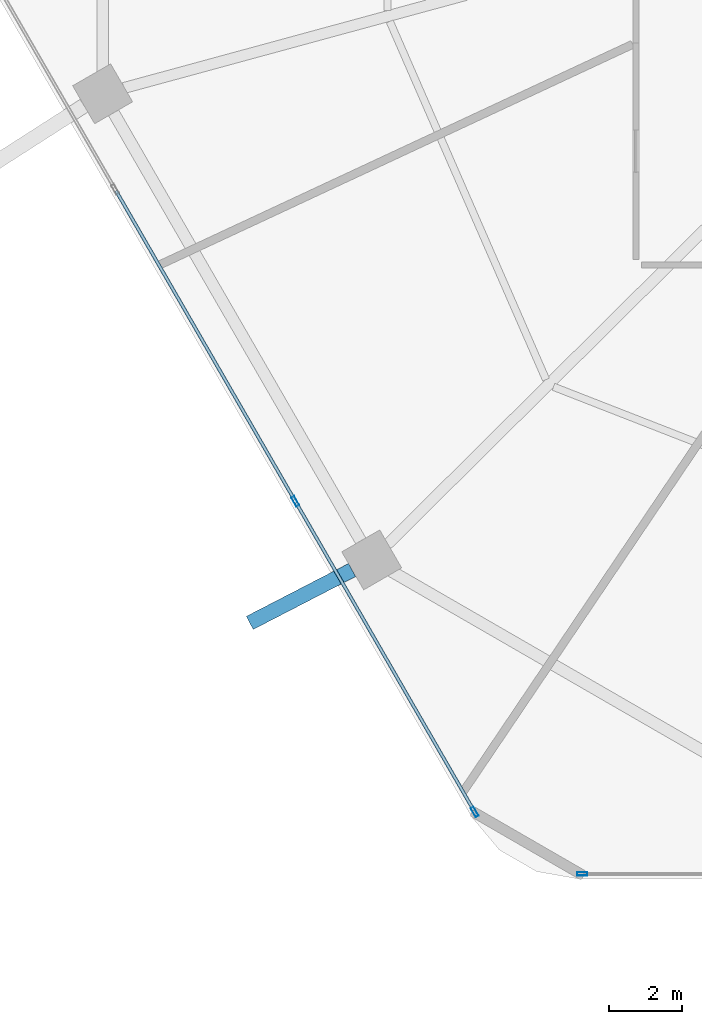
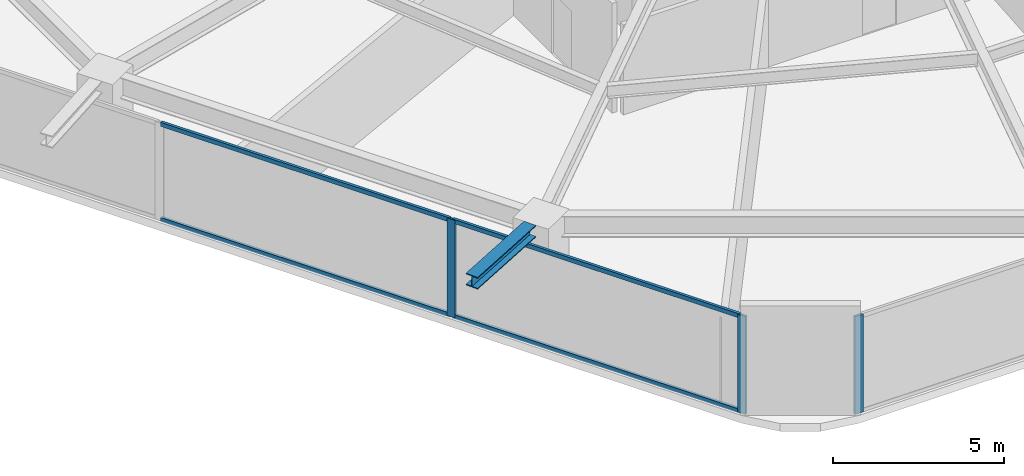
# One storey, part 2 of 25: 7 members, 1 beam, 2 elements without a shape of their own.
"""IFC4 building model written with IfcOpenShell, lengths in metres."""

from ifc_helpers import new_model, si_unit, direction, frame, origin, origin_2d, place, context, subcontext, project, spatial, hollow_rectangle, i_section, extrude, material, material_profile, profile_set, type_object, element, aggregate, save


model = new_model("IFC4")

# Units and contexts
model_context = context("Model", 3, precision=1e-05, world=origin(), true_north=direction((0.0, 1.0)))
body_context = subcontext(model_context, "Body", "Model", "MODEL_VIEW")
ifc_project = project(units=[si_unit("LENGTHUNIT", "METRE"), si_unit("AREAUNIT", "SQUARE_METRE"), si_unit("VOLUMEUNIT", "CUBIC_METRE"), si_unit("PLANEANGLEUNIT", "RADIAN"), si_unit("MASSUNIT", "GRAM", prefix="KILO")], contexts=[model_context])

# Site, building, storey
site_placement = place(None, origin())
site = spatial("IfcSite", under=ifc_project, at=site_placement, CompositionType="ELEMENT")
building_placement = place(site_placement, origin())
building = spatial("IfcBuilding", under=site, at=building_placement, Name="Zuhravey Tower", CompositionType="ELEMENT")
storey_placement = place(building_placement, frame((0.0, 0.0, 45.60009765625)))
storey = spatial("IfcBuildingStorey", under=building, at=storey_placement, Name="L11", CompositionType="ELEMENT", Elevation=45.60009765625)

# Curtain wall, member
ifc_material_1 = material(Name="Thermally broken anodised aluminium", Category="aluminium")
curtain_wall_type = type_object("IfcCurtainWallType", Name="School Low-E Unitised Curtain Wall CW1", PredefinedType="NOTDEFINED", material=ifc_material_1)
curtain_wall_1_placement = place(storey_placement, origin())
curtain_wall_1 = element("IfcCurtainWall", 1, at=curtain_wall_1_placement, inside=storey, type_object=curtain_wall_type, Name="L11 CW1 CW-L11-F5-1", PredefinedType="NOTDEFINED")
ifc_material_2 = material(Name="Anodised aluminium", Category="aluminium")
ifc_material_profile_1 = material_profile(ifc_material_2, hollow_rectangle(XDim=0.090087890625, YDim=0.284912109375, WallThickness=0.0048828125, at=origin_2d()), Name="ALU-RHS-90x285x5")
ifc_profile_set_1 = profile_set([ifc_material_profile_1], Name="Anodised aluminium")
member_type_1 = type_object("IfcMemberType", Name="Curtain-Wall Mullion 90x180", PredefinedType="MULLION", material=ifc_profile_set_1)
member_1_placement = place(storey_placement, frame((21.24560546875, 3.04150390625, 0.0), z_axis=(0.0, 0.0, 1.0), x_axis=(0.0, -1.0, 0.0)))
member_1 = element("IfcMember", 2, at=member_1_placement, type_object=member_type_1, Name="CW1 mullion 4", PredefinedType="MULLION", context=body_context, shape_type="SweptSolid", body=[
    extrude(hollow_rectangle(XDim=0.090087890625, YDim=0.284912109375, WallThickness=0.0048828125, at=origin_2d()), origin(), (0.0, 0.0, 1.0), 3.491943359375),
])
aggregate(curtain_wall_1, [member_1])

# Curtain wall, members
curtain_wall_2_placement = place(storey_placement, origin())
curtain_wall_2 = element("IfcCurtainWall", 3, at=curtain_wall_2_placement, inside=storey, type_object=curtain_wall_type, Name="L11 CW1 CW-L11-F4-1", PredefinedType="NOTDEFINED")
member_2_placement = place(storey_placement, frame((18.298583984375, 4.742919921875, 0.0), z_axis=(0.0, 0.0, 1.0), x_axis=(-0.86602552265, -0.499999794119, 0.0)))
member_2 = element("IfcMember", 4, at=member_2_placement, type_object=member_type_1, Name="CW1 mullion 1", PredefinedType="MULLION", context=body_context, shape_type="SweptSolid", body=[
    extrude(hollow_rectangle(XDim=0.090087890625, YDim=0.284912109375, WallThickness=0.0048828125, at=origin_2d()), origin(), (0.0, 0.0, 1.0), 3.491943359375),
])
member_3_placement = place(storey_placement, frame((13.387939453125, 13.24853515625, 0.0), z_axis=(0.0, 0.0, 1.0), x_axis=(-0.86602552265, -0.499999794119, 0.0)))
member_3 = element("IfcMember", 5, at=member_3_placement, type_object=member_type_1, Name="CW1 mullion 2", PredefinedType="MULLION", context=body_context, shape_type="SweptSolid", body=[
    extrude(hollow_rectangle(XDim=0.090087890625, YDim=0.284912109375, WallThickness=0.0048828125, at=origin_2d()), origin(), (0.0, 0.0, 1.0), 3.491943359375),
])
ifc_material_profile_2 = material_profile(ifc_material_2, hollow_rectangle(XDim=0.090087890625, YDim=0.14990234375, WallThickness=0.0048828125, at=origin_2d()), Name="ALU-RHS-90x150x5")
ifc_profile_set_2 = profile_set([ifc_material_profile_2], Name="Anodised aluminium")
member_type_2 = type_object("IfcMemberType", Name="Curtain-Wall Transom 90x150", PredefinedType="USERDEFINED", material=ifc_profile_set_2)
member_4_placement = place(storey_placement, frame((18.27587890625, 4.781982421875, 0.044921875), z_axis=(-0.499989576763, 0.86603142156, 0.0), x_axis=(-0.86603142156, -0.499989576763, 0.0)))
member_4 = element("IfcMember", 6, at=member_4_placement, type_object=member_type_2, Name="CW1 transom 1.1", ObjectType="TRANSOM", PredefinedType="USERDEFINED", context=body_context, shape_type="SweptSolid", body=[
    extrude(hollow_rectangle(XDim=0.090087890625, YDim=0.14990234375, WallThickness=0.0048828125, at=origin_2d()), origin(), (0.0, 0.0, 1.0), 9.731201171875),
])
member_5_placement = place(storey_placement, frame((18.27587890625, 4.781982421875, 3.447021484375), z_axis=(-0.499989576763, 0.86603142156, 0.0), x_axis=(-0.86603142156, -0.499989576763, 0.0)))
member_5 = element("IfcMember", 7, at=member_5_placement, type_object=member_type_2, Name="CW1 transom 1.2", ObjectType="TRANSOM", PredefinedType="USERDEFINED", context=body_context, shape_type="SweptSolid", body=[
    extrude(hollow_rectangle(XDim=0.090087890625, YDim=0.14990234375, WallThickness=0.0048828125, at=origin_2d()), origin(), (0.0, 0.0, 1.0), 9.731201171875),
])
member_6_placement = place(storey_placement, frame((13.365234375, 13.287353515625, 0.044921875), z_axis=(-0.499990498062, 0.866030889661, 0.0), x_axis=(-0.866030889661, -0.499990498062, 0.0)))
member_6 = element("IfcMember", 8, at=member_6_placement, type_object=member_type_2, Name="CW1 transom 2.1", ObjectType="TRANSOM", PredefinedType="USERDEFINED", context=body_context, shape_type="SweptSolid", body=[
    extrude(hollow_rectangle(XDim=0.090087890625, YDim=0.14990234375, WallThickness=0.0048828125, at=origin_2d()), origin(), (0.0, 0.0, 1.0), 9.776611328125),
])
member_7_placement = place(storey_placement, frame((13.365234375, 13.287353515625, 3.447021484375), z_axis=(-0.499990498062, 0.866030889661, 0.0), x_axis=(-0.866030889661, -0.499990498062, 0.0)))
member_7 = element("IfcMember", 9, at=member_7_placement, type_object=member_type_2, Name="CW1 transom 2.2", ObjectType="TRANSOM", PredefinedType="USERDEFINED", context=body_context, shape_type="SweptSolid", body=[
    extrude(hollow_rectangle(XDim=0.090087890625, YDim=0.14990234375, WallThickness=0.0048828125, at=origin_2d()), origin(), (0.0, 0.0, 1.0), 9.776611328125),
])
aggregate(curtain_wall_2, [member_2, member_3, member_4, member_5, member_6, member_7])

# Beam
ifc_material_3 = material(Name="Steel SM460", Category="steel")
ifc_material_profile_3 = material_profile(ifc_material_3, i_section(OverallWidth=0.406982421875, OverallDepth=0.427978515625, WebThickness=0.02001953125, FlangeThickness=0.034912109375, at=origin_2d()), Name="H-428x407x20x35")
ifc_profile_set_3 = profile_set([ifc_material_profile_3], Name="Steel SM460")
beam_type = type_object("IfcBeamType", Name="Exoskeleton Node Tie Beam H428x407", PredefinedType="BEAM", material=ifc_profile_set_3)
beam_placement = place(storey_placement, frame((14.94384765625, 11.365478515625, 3.705810546875), z_axis=(-0.888436426632, -0.458999690449, 0.0), x_axis=(0.458999690449, -0.888436426632, 0.0)))
element("IfcBeam", 10, at=beam_placement, inside=storey, type_object=beam_type, Name="L11 Exoskeleton Node Tie NT1-08", PredefinedType="BEAM", context=body_context, shape_type="SweptSolid", body=[
    extrude(i_section(OverallWidth=0.406982421875, OverallDepth=0.427978515625, WebThickness=0.02001953125, FlangeThickness=0.034912109375, at=origin_2d()), origin(), (0.0, 0.0, 1.0), 3.15478515625),
])

save(model, "model.ifc")
